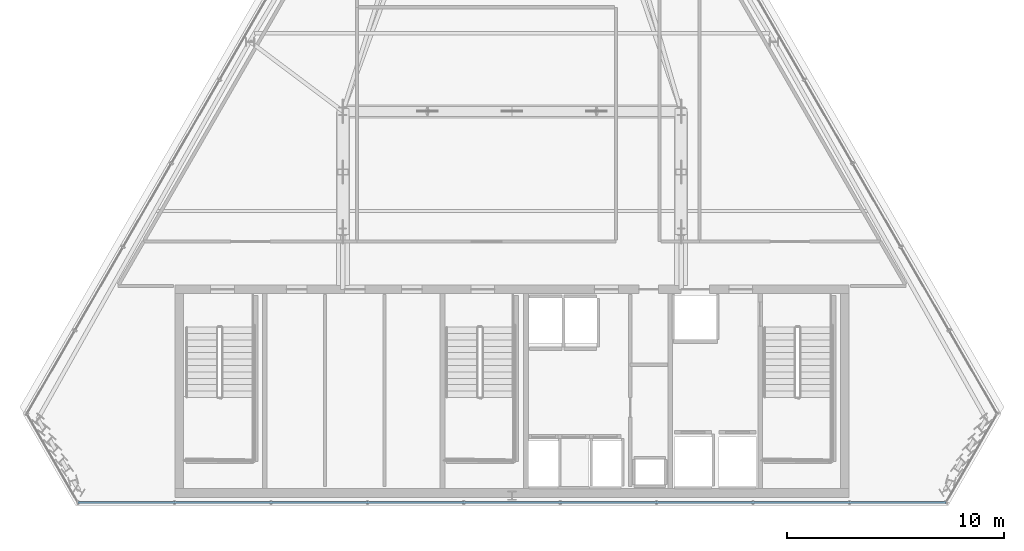
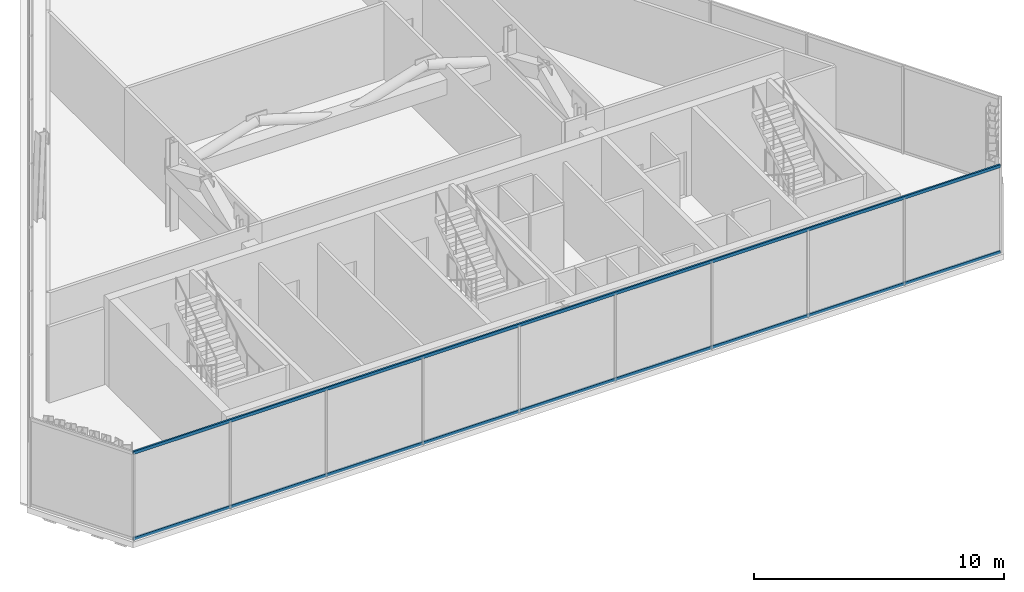
# One storey, part 9 of 32: 2 members, 1 element without a shape of its own.
"""IFC4 building model written with IfcOpenShell, lengths in metres."""

from ifc_helpers import new_model, si_unit, direction, frame, origin, origin_2d, place, context, subcontext, project, spatial, hollow_rectangle, extrude, material, layer, layer_set, material_profile, profile_set, type_object, element, aggregate, save


model = new_model("IFC4")

# Units and contexts
model_context = context("Model", 3, precision=1e-05, world=origin(), true_north=direction((0.0, 1.0)))
body_context = subcontext(model_context, "Body", "Model", "MODEL_VIEW")
ifc_project = project(units=[si_unit("LENGTHUNIT", "METRE"), si_unit("AREAUNIT", "SQUARE_METRE"), si_unit("VOLUMEUNIT", "CUBIC_METRE"), si_unit("PLANEANGLEUNIT", "RADIAN"), si_unit("MASSUNIT", "GRAM", prefix="KILO")], contexts=[model_context])

# Site, building, storey
site_placement = place(None, origin())
site = spatial("IfcSite", under=ifc_project, at=site_placement, CompositionType="ELEMENT")
building_placement = place(site_placement, origin())
building = spatial("IfcBuilding", under=site, at=building_placement, Name="Ndaravel Arena Tower", CompositionType="ELEMENT")
storey_placement = place(building_placement, frame((0.0, 0.0, 278.800048828125)))
storey = spatial("IfcBuildingStorey", under=building, at=storey_placement, Name="L68", CompositionType="ELEMENT", Elevation=278.800048828125)

# Curtain wall, members
ifc_material_1 = material(Name="Aluminium", Category="aluminium")
ifc_layer = layer(ifc_material_1, 0.179931640625)
ifc_layer_set = layer_set([ifc_layer], Name="Aluminium")
curtain_wall_type = type_object("IfcCurtainWallType", Name="CW-SYS-03", PredefinedType="NOTDEFINED", material=ifc_layer_set)
curtain_wall_placement = place(storey_placement, origin())
curtain_wall = element("IfcCurtainWall", 1, at=curtain_wall_placement, inside=storey, type_object=curtain_wall_type, Name="L68 Faceted Crystal Curtain Wall CW-L68-E01", PredefinedType="NOTDEFINED")
ifc_material_2 = material(Name="Aluminium", Category="aluminium")
ifc_material_profile = material_profile(ifc_material_2, hollow_rectangle(XDim=0.074951171875, YDim=0.14990234375, WallThickness=0.00390625, at=origin_2d()), Name="CW TRANSOM 75x150x4")
ifc_profile_set = profile_set([ifc_material_profile], Name="Aluminium")
member_type = type_object("IfcMemberType", Name="MEM-CW-TRN150", PredefinedType="USERDEFINED", material=ifc_profile_set)
member_1_placement = place(storey_placement, frame((21.98876953125, 5.159912109375, 0.0400390625), z_axis=(1.0, 0.0, 0.0), x_axis=(0.0, 1.0, 0.0)))
member_1 = element("IfcMember", 2, at=member_1_placement, type_object=member_type, Name="CW-L68-E01 Transom 01", ObjectType="TRANSOM", PredefinedType="USERDEFINED", context=body_context, shape_type="SweptSolid", body=[
    extrude(hollow_rectangle(XDim=0.074951171875, YDim=0.14990234375, WallThickness=0.00390625, at=origin_2d()), origin(), (0.0, 0.0, 1.0), 40.0224609375),
])
member_2_placement = place(storey_placement, frame((21.98876953125, 5.159912109375, 4.239990234375), z_axis=(1.0, 0.0, 0.0), x_axis=(0.0, 1.0, 0.0)))
member_2 = element("IfcMember", 3, at=member_2_placement, type_object=member_type, Name="CW-L68-E01 Transom 02", ObjectType="TRANSOM", PredefinedType="USERDEFINED", context=body_context, shape_type="SweptSolid", body=[
    extrude(hollow_rectangle(XDim=0.074951171875, YDim=0.14990234375, WallThickness=0.00390625, at=origin_2d()), origin(), (0.0, 0.0, 1.0), 40.0224609375),
])
aggregate(curtain_wall, [member_1, member_2])

save(model, "model.ifc")
